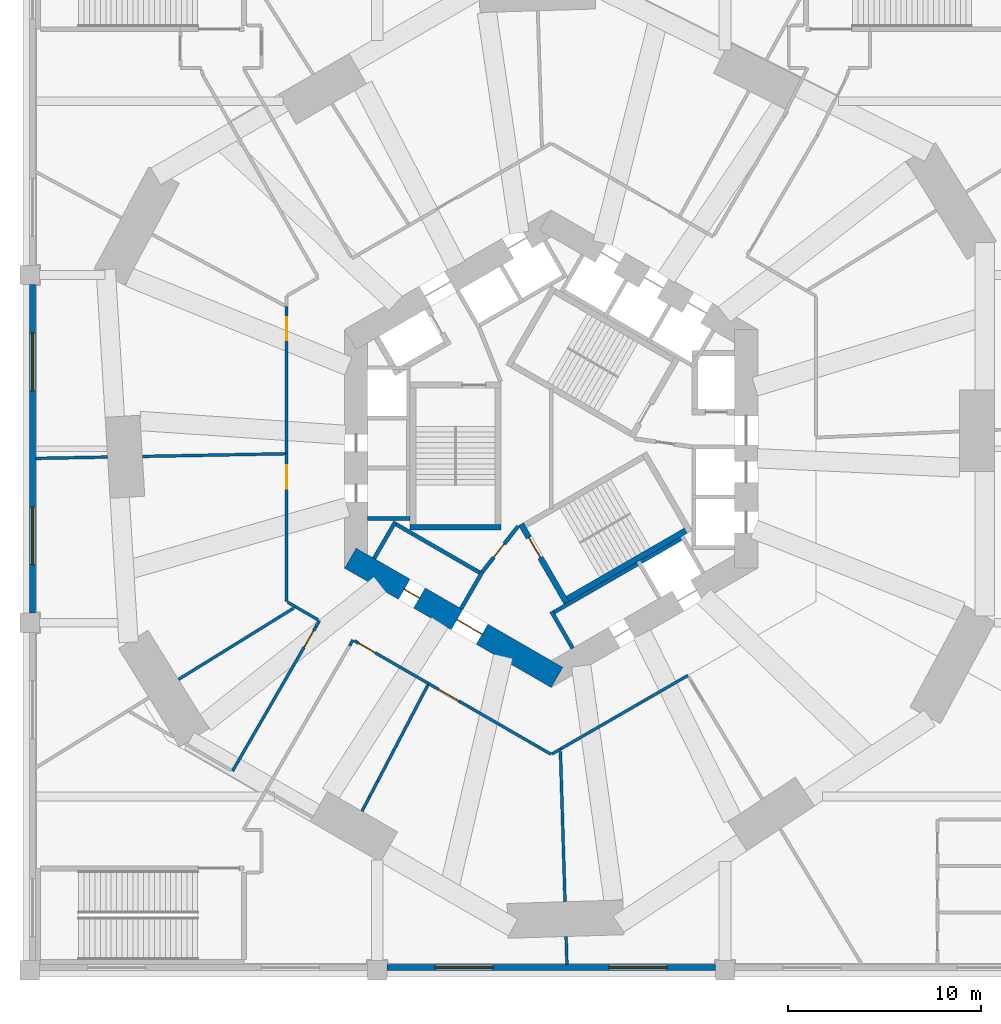
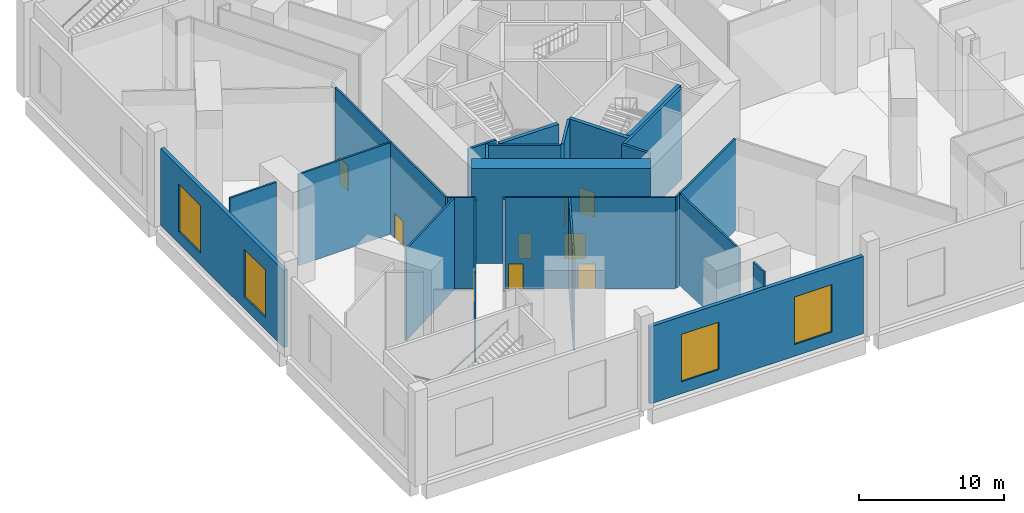
# One storey, part 6 of 15: 32 walls, 9 doors, 4 windows, 13 openings.
"""IFC4 building model written with IfcOpenShell, lengths in metres."""

from ifc_helpers import new_model, si_unit, direction, frame, frame_2d, origin, place, context, subcontext, project, spatial, rectangle, extrude, material, layer, layer_set, type_object, element, fill, save


model = new_model("IFC4")

# Units and contexts
model_context = context("Model", 3, precision=1e-05, world=origin(), true_north=direction((0.0, 1.0)))
body_context = subcontext(model_context, "Body", "Model", "MODEL_VIEW")
ifc_project = project(units=[si_unit("LENGTHUNIT", "METRE"), si_unit("AREAUNIT", "SQUARE_METRE"), si_unit("VOLUMEUNIT", "CUBIC_METRE"), si_unit("PLANEANGLEUNIT", "RADIAN"), si_unit("MASSUNIT", "GRAM", prefix="KILO")], contexts=[model_context])

# Site, building, storey
site_placement = place(None, origin())
site = spatial("IfcSite", under=ifc_project, at=site_placement, CompositionType="ELEMENT")
building_placement = place(site_placement, origin())
building = spatial("IfcBuilding", under=site, at=building_placement, Name="Vanh Sen Convention Tower", CompositionType="ELEMENT")
storey_placement = place(building_placement, frame((0.0, 0.0, 21.0)))
storey = spatial("IfcBuildingStorey", under=building, at=storey_placement, Name="L03", CompositionType="ELEMENT", Elevation=21.0)

# Wall, openings, doors
ifc_material_1 = material(Name="Concrete C80/95", Category="concrete")
ifc_layer_1 = layer(ifc_material_1, 1.199951171875)
ifc_layer_set_1 = layer_set([ifc_layer_1], Name="Concrete C80/95")
wall_type_1 = type_object("IfcWallType", Name="Core outer wall 1200 C80/95", PredefinedType="SHEAR", material=ifc_layer_set_1)
wall_1_placement = place(storey_placement, frame((-10.39990234375, -5.657958984375, 0.0), z_axis=(0.0, 0.0, 1.0), x_axis=(0.866021384402, -0.500006961711, 0.0)))
wall_1 = element("IfcWall", 1, at=wall_1_placement, inside=storey, type_object=wall_type_1, Name="Core wall face SW L03", PredefinedType="SHEAR", context=body_context, shape_type="SweptSolid", body=[
    extrude(rectangle(XDim=12.355224609375, YDim=1.199951171875, at=frame_2d((6.177734375, 0.0))), origin(), (0.0, 0.0, 1.0), 8.0),
])
opening_1_placement = place(wall_1_placement, frame((6.377685546875, 0.0, 0.0)))
opening_1 = element("IfcOpeningElement", 2, at=opening_1_placement, cuts=wall_1, Name="Opening D03003", PredefinedType="OPENING", context=body_context, shape_type="SweptSolid", body=[
    extrude(rectangle(XDim=1.5, YDim=2.10009765625, at=frame_2d((0.75, 1.050048828125))), frame((0.0, 0.60986328125, 0.0), z_axis=(0.0, -1.0, 0.0), x_axis=(1.0, 0.0, 0.0)), (0.0, 0.0, 1.0), 1.219970703125),
])
opening_2_placement = place(wall_1_placement, frame((3.227783203125, 0.0, 0.0)))
opening_2 = element("IfcOpeningElement", 3, at=opening_2_placement, cuts=wall_1, Name="Opening D03011", PredefinedType="OPENING", context=body_context, shape_type="SweptSolid", body=[
    extrude(rectangle(XDim=0.89990234375, YDim=2.10009765625, at=frame_2d((0.449951171875, 1.050048828125))), frame((0.0, 0.60986328125, 0.0), z_axis=(0.0, -1.0, 0.0), x_axis=(1.0, 0.0, 0.0)), (0.0, 0.0, 1.0), 1.219970703125),
])
ifc_material_2 = material(Name="Steel S355", Category="steel")
door_type_1 = type_object("IfcDoorType", Name="Plant door 900", OperationType="SINGLE_SWING_LEFT", PredefinedType="DOOR", material=ifc_material_2)
door_1_placement = place(opening_2_placement, origin())
door_1 = element("IfcDoor", 4, at=door_1_placement, inside=storey, type_object=door_type_1, Name="Plant door D03011", OperationType="SINGLE_SWING_LEFT", OverallHeight=2.10009765625, OverallWidth=0.89990234375, PredefinedType="DOOR", context=body_context, shape_type="SweptSolid", body=[
    extrude(rectangle(XDim=0.89990234375, YDim=2.10009765625, at=frame_2d((0.449951171875, 1.050048828125))), frame((0.0, 0.02490234375, 0.0), z_axis=(0.0, -1.0, 0.0), x_axis=(1.0, 0.0, 0.0)), (0.0, 0.0, 1.0), 0.050048828125),
])
fill(opening_2, door_1)
door_type_2 = type_object("IfcDoorType", Name="Stair lobby door 1500", OperationType="DOUBLE_DOOR_SINGLE_SWING", PredefinedType="DOOR", material=ifc_material_2)
door_2_placement = place(opening_1_placement, origin())
door_2 = element("IfcDoor", 5, at=door_2_placement, inside=storey, type_object=door_type_2, Name="Stair lobby door D03003", OperationType="DOUBLE_DOOR_SINGLE_SWING", OverallHeight=2.10009765625, OverallWidth=1.5, PredefinedType="DOOR", context=body_context, shape_type="SweptSolid", body=[
    extrude(rectangle(XDim=1.5, YDim=2.10009765625, at=frame_2d((0.75, 1.050048828125))), frame((0.0, 0.02490234375, 0.0), z_axis=(0.0, -1.0, 0.0), x_axis=(1.0, 0.0, 0.0)), (0.0, 0.0, 1.0), 0.050048828125),
])
fill(opening_1, door_2)

# Walls
ifc_material_3 = material(Name="Concrete C40/50", Category="concrete")
ifc_layer_2 = layer(ifc_material_3, 0.199951171875)
ifc_layer_set_2 = layer_set([ifc_layer_2], Name="Concrete C40/50")
wall_type_2 = type_object("IfcWallType", Name="Lift shaft wall 200", PredefinedType="PARTITIONING", material=ifc_layer_set_2)
wall_2_placement = place(storey_placement, frame((-7.300048828125, -3.60009765625, 0.0), z_axis=(0.0, 0.0, 1.0), x_axis=(-1.0, 0.0, 0.0)))
element("IfcWall", 6, at=wall_2_placement, inside=storey, type_object=wall_type_2, Name="Lift shaft wall L03", PredefinedType="PARTITIONING", context=body_context, shape_type="SweptSolid", body=[
    extrude(rectangle(XDim=2.199951171875, YDim=0.199951171875, at=frame_2d((1.10009765625, 0.0))), origin(), (0.0, 0.0, 1.0), 7.699951171875),
])
wall_3_placement = place(storey_placement, frame((-8.203369140625, -3.80859375, 0.0), z_axis=(0.0, 0.0, 1.0), x_axis=(0.866028230842, -0.499995103361, 0.0)))
element("IfcWall", 7, at=wall_3_placement, inside=storey, type_object=wall_type_2, Name="Lift shaft wall L03", PredefinedType="PARTITIONING", context=body_context, shape_type="SweptSolid", body=[
    extrude(rectangle(XDim=5.39990234375, YDim=0.199951171875, at=frame_2d((2.699951171875, 0.0))), origin(), (0.0, 0.0, 1.0), 7.699951171875),
])
wall_4_placement = place(storey_placement, frame((-8.066650390625, -3.77197265625, 0.0), z_axis=(0.0, 0.0, 1.0), x_axis=(-0.50002983664, -0.866008176907, 0.0)))
element("IfcWall", 8, at=wall_4_placement, inside=storey, type_object=wall_type_2, Name="Lift shaft wall L03", PredefinedType="PARTITIONING", context=body_context, shape_type="SweptSolid", body=[
    extrude(rectangle(XDim=2.199951171875, YDim=0.199951171875, at=frame_2d((1.10009765625, 0.0))), origin(), (0.0, 0.0, 1.0), 7.699951171875),
])
wall_5_placement = place(storey_placement, frame((-3.5634765625, -6.3720703125, 0.0), z_axis=(0.0, 0.0, 1.0), x_axis=(-0.499994660107, -0.866028486751, 0.0)))
element("IfcWall", 9, at=wall_5_placement, inside=storey, type_object=wall_type_2, Name="Lift shaft wall L03", PredefinedType="PARTITIONING", context=body_context, shape_type="SweptSolid", body=[
    extrude(rectangle(XDim=2.19970703125, YDim=0.199951171875, at=frame_2d((1.099853515625, 0.0))), origin(), (0.0, 0.0, 1.0), 7.699951171875),
])
wall_6_placement = place(storey_placement, frame((-0.02392578125, -8.55859375, 0.0), z_axis=(0.0, 0.0, 1.0), x_axis=(0.866026010844, 0.49999894854, 0.0)))
element("IfcWall", 10, at=wall_6_placement, inside=storey, type_object=wall_type_2, Name="Lift shaft wall L03", PredefinedType="PARTITIONING", context=body_context, shape_type="SweptSolid", body=[
    extrude(rectangle(XDim=8.0, YDim=0.199951171875, at=frame_2d((4.0, 0.0))), origin(), (0.0, 0.0, 1.0), 7.699951171875),
])
wall_7_placement = place(storey_placement, frame((0.0126953125, -8.422119140625, 0.0), z_axis=(0.0, 0.0, 1.0), x_axis=(0.500077893725, -0.86598042715, 0.0)))
element("IfcWall", 11, at=wall_7_placement, inside=storey, type_object=wall_type_2, Name="Lift shaft wall L03", PredefinedType="PARTITIONING", context=body_context, shape_type="SweptSolid", body=[
    extrude(rectangle(XDim=2.199951171875, YDim=0.199951171875, at=frame_2d((1.10009765625, 0.0))), origin(), (0.0, 0.0, 1.0), 7.699951171875),
])
ifc_material_4 = material(Name="Acoustic operable panels on an overhead track", Category="gypsum")
ifc_layer_3 = layer(ifc_material_4, 0.14990234375)
ifc_layer_set_3 = layer_set([ifc_layer_3], Name="Acoustic operable panels on an overhead track")
wall_type_3 = type_object("IfcWallType", Name="Operable partition 150 EI 60", PredefinedType="MOVABLE", material=ifc_layer_set_3)
wall_8_placement = place(storey_placement, frame((0.478759765625, -15.6650390625, 0.0), z_axis=(0.0, 0.0, 1.0), x_axis=(0.030535907252, -0.999533670453, 0.0)))
element("IfcWall", 12, at=wall_8_placement, inside=storey, type_object=wall_type_3, Name="Operable partition L03-027", PredefinedType="MOVABLE", context=body_context, shape_type="SweptSolid", body=[
    extrude(rectangle(XDim=7.787353515625, YDim=0.14990234375, at=frame_2d((3.8935546875, 0.0))), origin(), (0.0, 0.0, 1.0), 7.699951171875),
])
ifc_material_5 = material(Name="Gypsum board on steel studs", Category="steel")
ifc_layer_4 = layer(ifc_material_5, 0.14990234375)
ifc_layer_set_4 = layer_set([ifc_layer_4], Name="Gypsum board on steel studs")
wall_type_4 = type_object("IfcWallType", Name="Partition 150 EI 60", PredefinedType="PARTITIONING", material=ifc_layer_set_4)
wall_9_placement = place(storey_placement, frame((0.771484375, -25.247802734375, 0.0), z_axis=(0.0, 0.0, 1.0), x_axis=(0.030584206332, -0.99953219374, 0.0)))
element("IfcWall", 13, at=wall_9_placement, inside=storey, type_object=wall_type_4, Name="Partition L03-005", PredefinedType="PARTITIONING", context=body_context, shape_type="SweptSolid", body=[
    extrude(rectangle(XDim=1.452880859375, YDim=0.14990234375, at=frame_2d((0.7265625, 0.0))), origin(), (0.0, 0.0, 1.0), 7.699951171875),
])
wall_10_placement = place(storey_placement, frame((-9.409912109375, -18.025390625, 0.0), z_axis=(0.0, 0.0, 1.0), x_axis=(-0.462925528534, -0.886397176796, 0.0)))
element("IfcWall", 14, at=wall_10_placement, inside=storey, type_object=wall_type_4, Name="Partition L03-022", PredefinedType="PARTITIONING", context=body_context, shape_type="SweptSolid", body=[
    extrude(rectangle(XDim=0.83544921875, YDim=0.14990234375, at=frame_2d((0.417724609375, 0.0))), origin(), (0.0, 0.0, 1.0), 7.699951171875),
])
wall_11_placement = place(storey_placement, frame((-8.98095703125, -17.20361328125, 0.0), z_axis=(0.0, 0.0, 1.0), x_axis=(-0.462737010981, -0.886495605555, 0.0)))
element("IfcWall", 15, at=wall_11_placement, inside=storey, type_object=wall_type_4, Name="Partition L03-024", PredefinedType="PARTITIONING", context=body_context, shape_type="SweptSolid", body=[
    extrude(rectangle(XDim=0.927001953125, YDim=0.14990234375, at=frame_2d((0.46337890625, 0.0))), origin(), (0.0, 0.0, 1.0), 7.699951171875),
])

# Wall, opening, door
wall_12_placement = place(storey_placement, frame((0.0, -15.819580078125, 0.0), z_axis=(0.0, 0.0, 1.0), x_axis=(-0.866018019704, 0.500012789385, 0.0)))
wall_12 = element("IfcWall", 16, at=wall_12_placement, inside=storey, type_object=wall_type_4, Name="Partition L03-026", PredefinedType="PARTITIONING", context=body_context, shape_type="SweptSolid", body=[
    extrude(rectangle(XDim=7.327392578125, YDim=0.14990234375, at=frame_2d((3.66357421875, 0.0))), origin(), (0.0, 0.0, 1.0), 7.699951171875),
])
opening_3_placement = place(wall_12_placement, frame((5.52734375, 0.0, 0.0)))
opening_3 = element("IfcOpeningElement", 17, at=opening_3_placement, cuts=wall_12, Name="Opening D03107", PredefinedType="OPENING", context=body_context, shape_type="SweptSolid", body=[
    extrude(rectangle(XDim=1.199951171875, YDim=2.10009765625, at=frame_2d((0.60009765625, 1.050048828125))), frame((0.0, 0.0849609375, 0.0), z_axis=(0.0, -1.0, 0.0), x_axis=(1.0, 0.0, 0.0)), (0.0, 0.0, 1.0), 0.169921875),
])
ifc_material_6 = material(Name="Timber door in steel frame", Category="steel")
door_type_3 = type_object("IfcDoorType", Name="Room door 1200 EI 30", OperationType="SINGLE_SWING_LEFT", PredefinedType="DOOR", material=ifc_material_6)
door_3_placement = place(opening_3_placement, origin())
door_3 = element("IfcDoor", 18, at=door_3_placement, inside=storey, type_object=door_type_3, Name="Room door D03107", OperationType="SINGLE_SWING_LEFT", OverallHeight=2.10009765625, OverallWidth=1.199951171875, PredefinedType="DOOR", context=body_context, shape_type="SweptSolid", body=[
    extrude(rectangle(XDim=1.199951171875, YDim=2.10009765625, at=frame_2d((0.60009765625, 1.050048828125))), frame((0.0, 0.02490234375, 0.0), z_axis=(0.0, -1.0, 0.0), x_axis=(1.0, 0.0, 0.0)), (0.0, 0.0, 1.0), 0.050048828125),
])
fill(opening_3, door_3)

# Walls
wall_13_placement = place(storey_placement, frame((0.474853515625, -15.545166015625, 0.0), z_axis=(0.0, 0.0, 1.0), x_axis=(0.866021168401, 0.500007335828, 0.0)))
element("IfcWall", 19, at=wall_13_placement, inside=storey, type_object=wall_type_4, Name="Partition L03-028", PredefinedType="PARTITIONING", context=body_context, shape_type="SweptSolid", body=[
    extrude(rectangle(XDim=7.6162109375, YDim=0.14990234375, at=frame_2d((3.80810546875, 0.0))), origin(), (0.0, 0.0, 1.0), 7.699951171875),
])
wall_14_placement = place(storey_placement, frame((0.47509765625, -15.545166015625, 0.0), z_axis=(0.0, 0.0, 1.0), x_axis=(-0.865927594567, -0.50016937228, 0.0)))
element("IfcWall", 20, at=wall_14_placement, inside=storey, type_object=wall_type_4, Name="Partition L03-029", PredefinedType="PARTITIONING", context=body_context, shape_type="SweptSolid", body=[
    extrude(rectangle(XDim=0.488525390625, YDim=0.14990234375, at=frame_2d((0.244140625, 0.0))), origin(), (0.0, 0.0, 1.0), 7.699951171875),
])
wall_15_placement = place(storey_placement, frame((-6.382568359375, -12.226806640625, 0.0), z_axis=(0.0, 0.0, 1.0), x_axis=(-0.462817144884, -0.886453772287, 0.0)))
element("IfcWall", 21, at=wall_15_placement, inside=storey, type_object=wall_type_4, Name="Partition L03-034", PredefinedType="PARTITIONING", context=body_context, shape_type="SweptSolid", body=[
    extrude(rectangle(XDim=5.6142578125, YDim=0.14990234375, at=frame_2d((2.80712890625, 0.0))), origin(), (0.0, 0.0, 1.0), 7.699951171875),
])

# Wall, opening, door
wall_16_placement = place(storey_placement, frame((-6.345703125, -12.15576171875, 0.0), z_axis=(0.0, 0.0, 1.0), x_axis=(-0.866016305155, 0.500015758957, 0.0)))
wall_16 = element("IfcWall", 22, at=wall_16_placement, inside=storey, type_object=wall_type_4, Name="Partition L03-035", PredefinedType="PARTITIONING", context=body_context, shape_type="SweptSolid", body=[
    extrude(rectangle(XDim=4.443115234375, YDim=0.14990234375, at=frame_2d((2.2216796875, 0.0))), origin(), (0.0, 0.0, 1.0), 7.699951171875),
])
opening_4_placement = place(wall_16_placement, frame((3.193603515625, 0.0, 0.0)))
opening_4 = element("IfcOpeningElement", 23, at=opening_4_placement, cuts=wall_16, Name="Opening D03108", PredefinedType="OPENING", context=body_context, shape_type="SweptSolid", body=[
    extrude(rectangle(XDim=1.0, YDim=2.10009765625, at=frame_2d((0.5, 1.050048828125))), frame((0.0, 0.0849609375, 0.0), z_axis=(0.0, -1.0, 0.0), x_axis=(1.0, 0.0, 0.0)), (0.0, 0.0, 1.0), 0.169921875),
])
door_type_4 = type_object("IfcDoorType", Name="Room door 1000 EI 30", OperationType="SINGLE_SWING_LEFT", PredefinedType="DOOR", material=ifc_material_6)
door_4_placement = place(opening_4_placement, origin())
door_4 = element("IfcDoor", 24, at=door_4_placement, inside=storey, type_object=door_type_4, Name="Room door D03108", OperationType="SINGLE_SWING_LEFT", OverallHeight=2.10009765625, OverallWidth=1.0, PredefinedType="DOOR", context=body_context, shape_type="SweptSolid", body=[
    extrude(rectangle(XDim=1.0, YDim=2.10009765625, at=frame_2d((0.5, 1.050048828125))), frame((0.0, 0.02490234375, 0.0), z_axis=(0.0, -1.0, 0.0), x_axis=(1.0, 0.0, 0.0)), (0.0, 0.0, 1.0), 0.050048828125),
])
fill(opening_4, door_4)

# Walls
wall_17_placement = place(storey_placement, frame((-19.293212890625, -11.938720703125, 0.0), z_axis=(0.0, 0.0, 1.0), x_axis=(0.850368954936, 0.526186887408, 0.0)))
element("IfcWall", 25, at=wall_17_placement, inside=storey, type_object=wall_type_4, Name="Partition L03-036", PredefinedType="PARTITIONING", context=body_context, shape_type="SweptSolid", body=[
    extrude(rectangle(XDim=7.015869140625, YDim=0.14990234375, at=frame_2d((3.5078125, 0.0))), origin(), (0.0, 0.0, 1.0), 7.699951171875),
])
wall_18_placement = place(storey_placement, frame((-10.262939453125, -9.89404296875, 0.0), z_axis=(0.0, 0.0, 1.0), x_axis=(-0.500706819963, -0.865616936319, 0.0)))
element("IfcWall", 26, at=wall_18_placement, inside=storey, type_object=wall_type_4, Name="Partition L03-038", PredefinedType="PARTITIONING", context=body_context, shape_type="SweptSolid", body=[
    extrude(rectangle(XDim=0.3505859375, YDim=0.14990234375, at=frame_2d((0.17529296875, 0.0))), origin(), (0.0, 0.0, 1.0), 7.699951171875),
])

# Wall, opening, door
wall_19_placement = place(storey_placement, frame((-12.169921875, -9.196533203125, 0.0), z_axis=(0.0, 0.0, 1.0), x_axis=(-0.500567740603, -0.865697370371, 0.0)))
wall_19 = element("IfcWall", 27, at=wall_19_placement, inside=storey, type_object=wall_type_4, Name="Partition L03-041", PredefinedType="PARTITIONING", context=body_context, shape_type="SweptSolid", body=[
    extrude(rectangle(XDim=8.64892578125, YDim=0.14990234375, at=frame_2d((4.324462890625, 0.0))), origin(), (0.0, 0.0, 1.0), 7.699951171875),
])
opening_5_placement = place(wall_19_placement, frame((0.25, 0.0, 0.0)))
opening_5 = element("IfcOpeningElement", 28, at=opening_5_placement, cuts=wall_19, Name="Opening D03109", PredefinedType="OPENING", context=body_context, shape_type="SweptSolid", body=[
    extrude(rectangle(XDim=1.0, YDim=2.10009765625, at=frame_2d((0.5, 1.050048828125))), frame((0.0, 0.0849609375, 0.0), z_axis=(0.0, -1.0, 0.0), x_axis=(1.0, 0.0, 0.0)), (0.0, 0.0, 1.0), 0.169921875),
])
door_5_placement = place(opening_5_placement, origin())
door_5 = element("IfcDoor", 29, at=door_5_placement, inside=storey, type_object=door_type_4, Name="Room door D03109", OperationType="SINGLE_SWING_LEFT", OverallHeight=2.10009765625, OverallWidth=1.0, PredefinedType="DOOR", context=body_context, shape_type="SweptSolid", body=[
    extrude(rectangle(XDim=1.0, YDim=2.10009765625, at=frame_2d((0.5, 1.050048828125))), frame((0.0, 0.02490234375, 0.0), z_axis=(0.0, -1.0, 0.0), x_axis=(1.0, 0.0, 0.0)), (0.0, 0.0, 1.0), 0.050048828125),
])
fill(opening_5, door_5)

# Walls
wall_20_placement = place(storey_placement, frame((-12.169921875, -9.196533203125, 0.0), z_axis=(0.0, 0.0, 1.0), x_axis=(0.500347451303, 0.865824709727, 0.0)))
element("IfcWall", 30, at=wall_20_placement, inside=storey, type_object=wall_type_4, Name="Partition L03-042", PredefinedType="PARTITIONING", context=body_context, shape_type="SweptSolid", body=[
    extrude(rectangle(XDim=0.349365234375, YDim=0.14990234375, at=frame_2d((0.1748046875, 0.0))), origin(), (0.0, 0.0, 1.0), 7.699951171875),
])
wall_21_placement = place(storey_placement, frame((-12.064208984375, -8.85400390625, 0.0), z_axis=(0.0, 0.0, 1.0), x_axis=(-0.866127963163, 0.499822319857, 0.0)))
element("IfcWall", 31, at=wall_21_placement, inside=storey, type_object=wall_type_4, Name="Partition L03-043", PredefinedType="PARTITIONING", context=body_context, shape_type="SweptSolid", body=[
    extrude(rectangle(XDim=1.34033203125, YDim=0.14990234375, at=frame_2d((0.670166015625, 0.0))), origin(), (0.0, 0.0, 1.0), 7.699951171875),
])
wall_22_placement = place(storey_placement, frame((-13.64794921875, -7.939453125, 0.0), z_axis=(0.0, 0.0, 1.0), x_axis=(0.865585916185, -0.500760443428, 0.0)))
element("IfcWall", 32, at=wall_22_placement, inside=storey, type_object=wall_type_4, Name="Partition L03-046", PredefinedType="PARTITIONING", context=body_context, shape_type="SweptSolid", body=[
    extrude(rectangle(XDim=0.488525390625, YDim=0.14990234375, at=frame_2d((0.244140625, 0.0))), origin(), (0.0, 0.0, 1.0), 7.699951171875),
])

# Wall, opening, door
wall_23_placement = place(storey_placement, frame((-13.699951171875, -7.909423828125, 0.0), z_axis=(0.0, 0.0, 1.0), x_axis=(0.0, 1.0, 0.0)))
wall_23 = element("IfcWall", 33, at=wall_23_placement, inside=storey, type_object=wall_type_4, Name="Partition L03-047", PredefinedType="PARTITIONING", context=body_context, shape_type="SweptSolid", body=[
    extrude(rectangle(XDim=7.654541015625, YDim=0.14990234375, at=frame_2d((3.8271484375, 0.0))), origin(), (0.0, 0.0, 1.0), 7.699951171875),
])
opening_6_placement = place(wall_23_placement, frame((5.8544921875, 0.0, 0.0)))
opening_6 = element("IfcOpeningElement", 34, at=opening_6_placement, cuts=wall_23, Name="Opening D03110", PredefinedType="OPENING", context=body_context, shape_type="SweptSolid", body=[
    extrude(rectangle(XDim=1.199951171875, YDim=2.10009765625, at=frame_2d((0.60009765625, 1.050048828125))), frame((0.0, 0.0849609375, 0.0), z_axis=(0.0, -1.0, 0.0), x_axis=(1.0, 0.0, 0.0)), (0.0, 0.0, 1.0), 0.169921875),
])
door_6_placement = place(opening_6_placement, origin())
door_6 = element("IfcDoor", 35, at=door_6_placement, inside=storey, type_object=door_type_3, Name="Room door D03110", OperationType="SINGLE_SWING_LEFT", OverallHeight=2.10009765625, OverallWidth=1.199951171875, PredefinedType="DOOR", context=body_context, shape_type="SweptSolid", body=[
    extrude(rectangle(XDim=1.199951171875, YDim=2.10009765625, at=frame_2d((0.60009765625, 1.050048828125))), frame((0.0, 0.02490234375, 0.0), z_axis=(0.0, -1.0, 0.0), x_axis=(1.0, 0.0, 0.0)), (0.0, 0.0, 1.0), 0.050048828125),
])
fill(opening_6, door_6)

# Walls
wall_24_placement = place(storey_placement, frame((-22.966552734375, -0.427490234375, 0.0), z_axis=(0.0, 0.0, 1.0), x_axis=(-0.999826372694, -0.018633959993, 0.0)))
element("IfcWall", 36, at=wall_24_placement, inside=storey, type_object=wall_type_4, Name="Partition L03-052", PredefinedType="PARTITIONING", context=body_context, shape_type="SweptSolid", body=[
    extrude(rectangle(XDim=3.734130859375, YDim=0.14990234375, at=frame_2d((1.8671875, 0.0))), origin(), (0.0, 0.0, 1.0), 7.699951171875),
])
wall_25_placement = place(storey_placement, frame((-13.780029296875, -0.256591796875, 0.0), z_axis=(0.0, 0.0, 1.0), x_axis=(-0.999826849708, -0.018608347649, 0.0)))
element("IfcWall", 37, at=wall_25_placement, inside=storey, type_object=wall_type_4, Name="Partition L03-053", PredefinedType="PARTITIONING", context=body_context, shape_type="SweptSolid", body=[
    extrude(rectangle(XDim=7.386474609375, YDim=0.14990234375, at=frame_2d((3.693359375, 0.0))), origin(), (0.0, 0.0, 1.0), 7.699951171875),
])

# Wall, opening, door
wall_26_placement = place(storey_placement, frame((-13.699951171875, -0.2548828125, 0.0), z_axis=(0.0, 0.0, 1.0), x_axis=(0.0, 1.0, 0.0)))
wall_26 = element("IfcWall", 38, at=wall_26_placement, inside=storey, type_object=wall_type_4, Name="Partition L03-054", PredefinedType="PARTITIONING", context=body_context, shape_type="SweptSolid", body=[
    extrude(rectangle(XDim=7.616455078125, YDim=0.14990234375, at=frame_2d((3.80810546875, 0.0))), origin(), (0.0, 0.0, 1.0), 7.699951171875),
])
opening_7_placement = place(wall_26_placement, frame((5.866455078125, 0.0, 0.0)))
opening_7 = element("IfcOpeningElement", 39, at=opening_7_placement, cuts=wall_26, Name="Opening D03115", PredefinedType="OPENING", context=body_context, shape_type="SweptSolid", body=[
    extrude(rectangle(XDim=1.199951171875, YDim=2.10009765625, at=frame_2d((0.60009765625, 1.050048828125))), frame((0.0, 0.0849609375, 0.0), z_axis=(0.0, -1.0, 0.0), x_axis=(1.0, 0.0, 0.0)), (0.0, 0.0, 1.0), 0.169921875),
])
door_7_placement = place(opening_7_placement, origin())
door_7 = element("IfcDoor", 40, at=door_7_placement, inside=storey, type_object=door_type_3, Name="Room door D03115", OperationType="SINGLE_SWING_LEFT", OverallHeight=2.10009765625, OverallWidth=1.199951171875, PredefinedType="DOOR", context=body_context, shape_type="SweptSolid", body=[
    extrude(rectangle(XDim=1.199951171875, YDim=2.10009765625, at=frame_2d((0.60009765625, 1.050048828125))), frame((0.0, 0.02490234375, 0.0), z_axis=(0.0, -1.0, 0.0), x_axis=(1.0, 0.0, 0.0)), (0.0, 0.0, 1.0), 0.050048828125),
])
fill(opening_7, door_7)

# Wall, openings, windows
ifc_material_7 = material(Name="Concrete C50/60", Category="concrete")
ifc_layer_5 = layer(ifc_material_7, 0.300048828125)
ifc_layer_set_5 = layer_set([ifc_layer_5], Name="Concrete C50/60")
wall_type_5 = type_object("IfcWallType", Name="Podium wall 300", PredefinedType="STANDARD", material=ifc_layer_set_5)
wall_27_placement = place(storey_placement, frame((-8.5, -26.85009765625, 0.0), z_axis=(0.0, 0.0, 1.0), x_axis=(1.0, 0.0, 0.0)))
wall_27 = element("IfcWall", 41, at=wall_27_placement, inside=storey, type_object=wall_type_5, Name="Podium wall S2 L03", PredefinedType="STANDARD", context=body_context, shape_type="SweptSolid", body=[
    extrude(rectangle(XDim=17.0, YDim=0.300048828125, at=frame_2d((8.5, 0.0))), origin(), (0.0, 0.0, 1.0), 6.5),
])
opening_8_placement = place(wall_27_placement, frame((2.5, 0.0, 1.0)))
opening_8 = element("IfcOpeningElement", 42, at=opening_8_placement, cuts=wall_27, Name="Opening WP3-S3", PredefinedType="OPENING", context=body_context, shape_type="SweptSolid", body=[
    extrude(rectangle(XDim=3.0, YDim=4.0, at=frame_2d((1.5, 2.0))), frame((0.0, 0.159912109375, 0.0), z_axis=(0.0, -1.0, 0.0), x_axis=(1.0, 0.0, 0.0)), (0.0, 0.0, 1.0), 0.320068359375),
])
opening_9_placement = place(wall_27_placement, frame((11.5, 0.0, 1.0)))
opening_9 = element("IfcOpeningElement", 43, at=opening_9_placement, cuts=wall_27, Name="Opening WP3-S4", PredefinedType="OPENING", context=body_context, shape_type="SweptSolid", body=[
    extrude(rectangle(XDim=3.0, YDim=4.0, at=frame_2d((1.5, 2.0))), frame((0.0, 0.159912109375, 0.0), z_axis=(0.0, -1.0, 0.0), x_axis=(1.0, 0.0, 0.0)), (0.0, 0.0, 1.0), 0.320068359375),
])
ifc_material_8 = material(Name="Aluminium frame with clear low-emissivity glass", Category="aluminium")
window_type = type_object("IfcWindowType", Name="Podium window 3000 x 4000", PartitioningType="SINGLE_PANEL", PredefinedType="WINDOW", material=ifc_material_8)
window_1_placement = place(opening_8_placement, origin())
window_1 = element("IfcWindow", 44, at=window_1_placement, inside=storey, type_object=window_type, Name="Window WP3-S3", OverallHeight=4.0, OverallWidth=3.0, PartitioningType="SINGLE_PANEL", PredefinedType="WINDOW", context=body_context, shape_type="SweptSolid", body=[
    extrude(rectangle(XDim=3.0, YDim=4.0, at=frame_2d((1.5, 2.0))), frame((0.0, 0.030029296875, 0.0), z_axis=(0.0, -1.0, 0.0), x_axis=(1.0, 0.0, 0.0)), (0.0, 0.0, 1.0), 0.06005859375),
])
fill(opening_8, window_1)
window_2_placement = place(opening_9_placement, origin())
window_2 = element("IfcWindow", 45, at=window_2_placement, inside=storey, type_object=window_type, Name="Window WP3-S4", OverallHeight=4.0, OverallWidth=3.0, PartitioningType="SINGLE_PANEL", PredefinedType="WINDOW", context=body_context, shape_type="SweptSolid", body=[
    extrude(rectangle(XDim=3.0, YDim=4.0, at=frame_2d((1.5, 2.0))), frame((0.0, 0.030029296875, 0.0), z_axis=(0.0, -1.0, 0.0), x_axis=(1.0, 0.0, 0.0)), (0.0, 0.0, 1.0), 0.06005859375),
])
fill(opening_9, window_2)

wall_28_placement = place(storey_placement, frame((-26.85009765625, 8.5, 0.0), z_axis=(0.0, 0.0, 1.0), x_axis=(0.0, -1.0, 0.0)))
wall_28 = element("IfcWall", 46, at=wall_28_placement, inside=storey, type_object=wall_type_5, Name="Podium wall W2 L03", PredefinedType="STANDARD", context=body_context, shape_type="SweptSolid", body=[
    extrude(rectangle(XDim=17.0, YDim=0.300048828125, at=frame_2d((8.5, 0.0))), origin(), (0.0, 0.0, 1.0), 6.5),
])
opening_10_placement = place(wall_28_placement, frame((2.5, 0.0, 1.0)))
opening_10 = element("IfcOpeningElement", 47, at=opening_10_placement, cuts=wall_28, Name="Opening WP3-W3", PredefinedType="OPENING", context=body_context, shape_type="SweptSolid", body=[
    extrude(rectangle(XDim=3.0, YDim=4.0, at=frame_2d((1.5, 2.0))), frame((0.0, 0.159912109375, 0.0), z_axis=(0.0, -1.0, 0.0), x_axis=(1.0, 0.0, 0.0)), (0.0, 0.0, 1.0), 0.320068359375),
])
opening_11_placement = place(wall_28_placement, frame((11.5, 0.0, 1.0)))
opening_11 = element("IfcOpeningElement", 48, at=opening_11_placement, cuts=wall_28, Name="Opening WP3-W4", PredefinedType="OPENING", context=body_context, shape_type="SweptSolid", body=[
    extrude(rectangle(XDim=3.0, YDim=4.0, at=frame_2d((1.5, 2.0))), frame((0.0, 0.159912109375, 0.0), z_axis=(0.0, -1.0, 0.0), x_axis=(1.0, 0.0, 0.0)), (0.0, 0.0, 1.0), 0.320068359375),
])
window_3_placement = place(opening_10_placement, origin())
window_3 = element("IfcWindow", 49, at=window_3_placement, inside=storey, type_object=window_type, Name="Window WP3-W3", OverallHeight=4.0, OverallWidth=3.0, PartitioningType="SINGLE_PANEL", PredefinedType="WINDOW", context=body_context, shape_type="SweptSolid", body=[
    extrude(rectangle(XDim=3.0, YDim=4.0, at=frame_2d((1.5, 2.0))), frame((0.0, 0.030029296875, 0.0), z_axis=(0.0, -1.0, 0.0), x_axis=(1.0, 0.0, 0.0)), (0.0, 0.0, 1.0), 0.06005859375),
])
fill(opening_10, window_3)
window_4_placement = place(opening_11_placement, origin())
window_4 = element("IfcWindow", 50, at=window_4_placement, inside=storey, type_object=window_type, Name="Window WP3-W4", OverallHeight=4.0, OverallWidth=3.0, PartitioningType="SINGLE_PANEL", PredefinedType="WINDOW", context=body_context, shape_type="SweptSolid", body=[
    extrude(rectangle(XDim=3.0, YDim=4.0, at=frame_2d((1.5, 2.0))), frame((0.0, 0.030029296875, 0.0), z_axis=(0.0, -1.0, 0.0), x_axis=(1.0, 0.0, 0.0)), (0.0, 0.0, 1.0), 0.06005859375),
])
fill(opening_11, window_4)

# Wall, opening, door
ifc_layer_6 = layer(ifc_material_3, 0.199951171875)
ifc_layer_set_6 = layer_set([ifc_layer_6], Name="Concrete C40/50")
wall_type_6 = type_object("IfcWallType", Name="Stair lobby wall 200", PredefinedType="PARTITIONING", material=ifc_layer_set_6)
wall_29_placement = place(storey_placement, frame((-1.71240234375, -4.00830078125, 0.0), z_axis=(0.0, 0.0, 1.0), x_axis=(-0.616549420702, -0.787316208287, 0.0)))
wall_29 = element("IfcWall", 51, at=wall_29_placement, inside=storey, type_object=wall_type_6, Name="Stair lobby wall L03", PredefinedType="PARTITIONING", context=body_context, shape_type="SweptSolid", body=[
    extrude(rectangle(XDim=3.002197265625, YDim=0.199951171875, at=frame_2d((1.5009765625, 0.0))), origin(), (0.0, 0.0, 1.0), 7.699951171875),
])
opening_12_placement = place(wall_29_placement, frame((1.14990234375, 0.0, 0.0)))
opening_12 = element("IfcOpeningElement", 52, at=opening_12_placement, cuts=wall_29, Name="Opening D03008", PredefinedType="OPENING", context=body_context, shape_type="SweptSolid", body=[
    extrude(rectangle(XDim=0.89990234375, YDim=2.10009765625, at=frame_2d((0.449951171875, 1.050048828125))), frame((0.0, 0.10986328125, 0.0), z_axis=(0.0, -1.0, 0.0), x_axis=(1.0, 0.0, 0.0)), (0.0, 0.0, 1.0), 0.219970703125),
])
door_8_placement = place(opening_12_placement, origin())
door_8 = element("IfcDoor", 53, at=door_8_placement, inside=storey, type_object=door_type_1, Name="Plant door D03008", OperationType="SINGLE_SWING_LEFT", OverallHeight=2.10009765625, OverallWidth=0.89990234375, PredefinedType="DOOR", context=body_context, shape_type="SweptSolid", body=[
    extrude(rectangle(XDim=0.89990234375, YDim=2.10009765625, at=frame_2d((0.449951171875, 1.050048828125))), frame((0.0, 0.02490234375, 0.0), z_axis=(0.0, -1.0, 0.0), x_axis=(1.0, 0.0, 0.0)), (0.0, 0.0, 1.0), 0.050048828125),
])
fill(opening_12, door_8)

# Wall
ifc_material_9 = material(Name="Concrete C60/75", Category="concrete")
ifc_layer_7 = layer(ifc_material_9, 0.300048828125)
ifc_layer_set_7 = layer_set([ifc_layer_7], Name="Concrete C60/75")
wall_type_7 = type_object("IfcWallType", Name="Stair wall 300", PredefinedType="SHEAR", material=ifc_layer_set_7)
wall_30_placement = place(storey_placement, frame((-2.60009765625, -4.06005859375, 0.0), z_axis=(0.0, 0.0, 1.0), x_axis=(-1.0, 0.0, 0.0)))
element("IfcWall", 54, at=wall_30_placement, inside=storey, type_object=wall_type_7, Name="Stair wall L03", PredefinedType="SHEAR", context=body_context, shape_type="SweptSolid", body=[
    extrude(rectangle(XDim=4.699951171875, YDim=0.300048828125, at=frame_2d((2.35009765625, 0.0))), origin(), (0.0, 0.0, 1.0), 7.699951171875),
])

# Wall, opening, door
wall_31_placement = place(storey_placement, frame((-1.557861328125, -3.901611328125, 0.0), z_axis=(0.0, 0.0, 1.0), x_axis=(0.499977259774, -0.866038532462, 0.0)))
wall_31 = element("IfcWall", 55, at=wall_31_placement, inside=storey, type_object=wall_type_7, Name="Stair wall L03", PredefinedType="SHEAR", context=body_context, shape_type="SweptSolid", body=[
    extrude(rectangle(XDim=4.699951171875, YDim=0.300048828125, at=frame_2d((2.35009765625, 0.0))), origin(), (0.0, 0.0, 1.0), 7.699951171875),
])
opening_13_placement = place(wall_31_placement, frame((0.800048828125, 0.0, 0.0)))
opening_13 = element("IfcOpeningElement", 56, at=opening_13_placement, cuts=wall_31, Name="Opening D03006", PredefinedType="OPENING", context=body_context, shape_type="SweptSolid", body=[
    extrude(rectangle(XDim=1.199951171875, YDim=2.10009765625, at=frame_2d((0.60009765625, 1.050048828125))), frame((0.0, 0.159912109375, 0.0), z_axis=(0.0, -1.0, 0.0), x_axis=(1.0, 0.0, 0.0)), (0.0, 0.0, 1.0), 0.320068359375),
])
door_type_5 = type_object("IfcDoorType", Name="Stair door 1200", OperationType="SINGLE_SWING_RIGHT", PredefinedType="DOOR", material=ifc_material_2)
door_9_placement = place(opening_13_placement, origin())
door_9 = element("IfcDoor", 57, at=door_9_placement, inside=storey, type_object=door_type_5, Name="Stair ST3 door D03006", OperationType="SINGLE_SWING_RIGHT", OverallHeight=2.10009765625, OverallWidth=1.199951171875, PredefinedType="DOOR", context=body_context, shape_type="SweptSolid", body=[
    extrude(rectangle(XDim=1.199951171875, YDim=2.10009765625, at=frame_2d((0.60009765625, 1.050048828125))), frame((0.0, 0.02490234375, 0.0), z_axis=(0.0, -1.0, 0.0), x_axis=(1.0, 0.0, 0.0)), (0.0, 0.0, 1.0), 0.050048828125),
])
fill(opening_13, door_9)

# Wall
wall_32_placement = place(storey_placement, frame((0.846923828125, -7.76708984375, 0.0), z_axis=(0.0, 0.0, 1.0), x_axis=(0.866027801685, 0.499995846692, 0.0)))
element("IfcWall", 58, at=wall_32_placement, inside=storey, type_object=wall_type_7, Name="Stair wall L03", PredefinedType="SHEAR", context=body_context, shape_type="SweptSolid", body=[
    extrude(rectangle(XDim=7.06005859375, YDim=0.300048828125, at=frame_2d((3.530029296875, 0.0))), origin(), (0.0, 0.0, 1.0), 7.699951171875),
])

save(model, "model.ifc")
